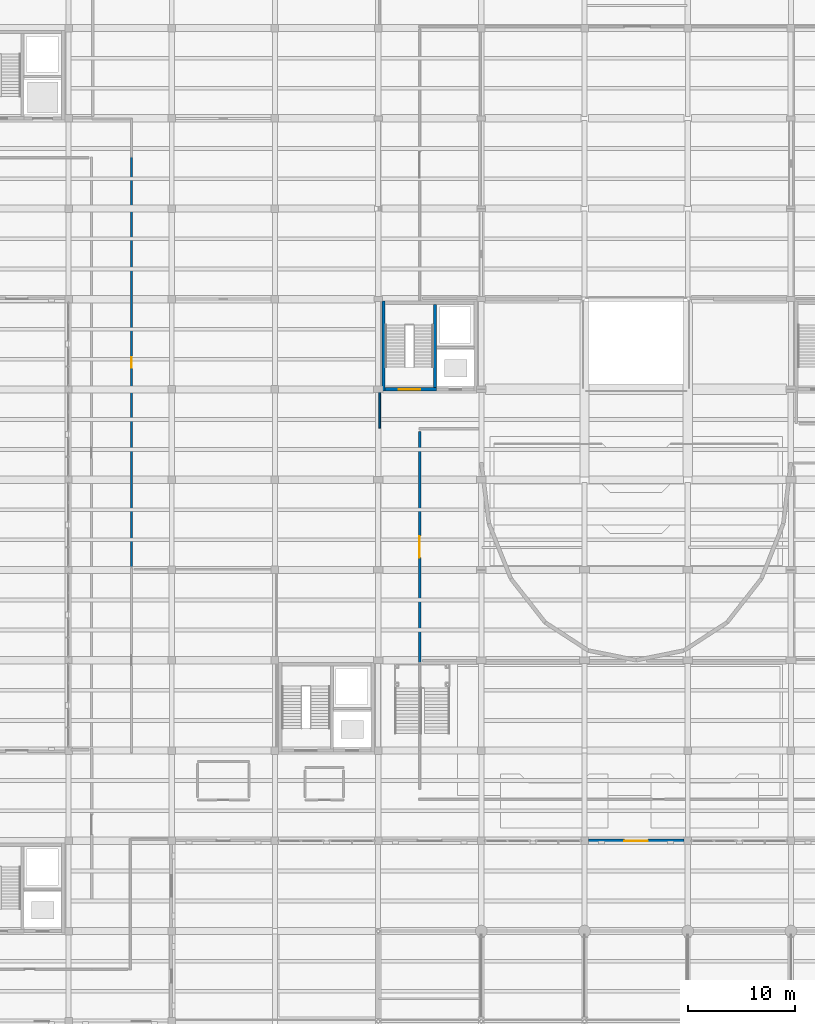
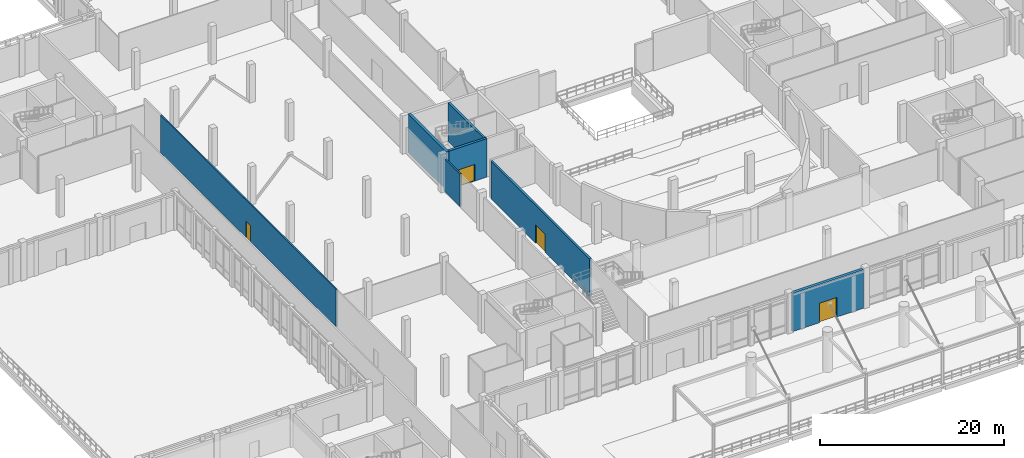
# One storey, part 51 of 71: 7 walls, 4 doors, 4 openings.
"""IFC4 building model written with IfcOpenShell, lengths in metres."""

from ifc_helpers import new_model, si_unit, direction, frame, frame_2d, origin, place, context, subcontext, project, spatial, rectangle, extrude, material, layer, layer_set, type_object, element, fill, save


model = new_model("IFC4")

# Units and contexts
model_context = context("Model", 3, precision=1e-05, world=origin(), true_north=direction((0.0, 1.0)))
body_context = subcontext(model_context, "Body", "Model", "MODEL_VIEW")
ifc_project = project(units=[si_unit("LENGTHUNIT", "METRE"), si_unit("AREAUNIT", "SQUARE_METRE"), si_unit("VOLUMEUNIT", "CUBIC_METRE"), si_unit("PLANEANGLEUNIT", "RADIAN"), si_unit("MASSUNIT", "GRAM", prefix="KILO")], contexts=[model_context])

# Site, building, storey
site_placement = place(None, origin())
site = spatial("IfcSite", under=ifc_project, at=site_placement, CompositionType="ELEMENT")
building_placement = place(site_placement, origin())
building = spatial("IfcBuilding", under=site, at=building_placement, Name="Lornevale Opera House", CompositionType="ELEMENT")
storey_placement = place(building_placement, origin())
storey = spatial("IfcBuildingStorey", under=building, at=storey_placement, Name="L01", CompositionType="ELEMENT", Elevation=0.0)

# Wall, opening, door
ifc_material_1 = material(Name="Acoustic Mineral-Core Gypsum Partition", Category="gypsum")
ifc_layer_1 = layer(ifc_material_1, 0.25)
ifc_layer_set_1 = layer_set([ifc_layer_1], Name="Acoustic Mineral-Core Gypsum Partition")
wall_type_1 = type_object("IfcWallType", Name="Auditorium Box-in-Box Liner 250", PredefinedType="SOLIDWALL", material=ifc_layer_set_1)
wall_1_placement = place(storey_placement, frame((61.4599609375, 33.39990234375, 0.0), z_axis=(0.0, 0.0, 1.0), x_axis=(0.0, 1.0, 0.0)))
wall_1 = element("IfcWall", 1, at=wall_1_placement, inside=storey, type_object=wall_type_1, Name="L01 Partition WL-INT-0665", PredefinedType="SOLIDWALL", context=body_context, shape_type="SweptSolid", body=[
    extrude(rectangle(XDim=21.489990234375, YDim=0.25, at=frame_2d((10.7451171875, 0.0))), origin(), (0.0, 0.0, 1.0), 4.989990234375),
])
opening_1_placement = place(wall_1_placement, frame((9.7451171875, 0.0, 0.0)))
opening_1 = element("IfcOpeningElement", 2, at=opening_1_placement, cuts=wall_1, Name="Opening DR-T14", PredefinedType="OPENING", context=body_context, shape_type="SweptSolid", body=[
    extrude(rectangle(XDim=2.0, YDim=2.39990234375, at=frame_2d((1.0, 1.199951171875))), frame((0.0, 0.135009765625, 0.0), z_axis=(0.0, -1.0, 0.0), x_axis=(1.0, 0.0, 0.0)), (0.0, 0.0, 1.0), 0.27001953125),
])
ifc_material_2 = material(Name="White Oak Acoustic Panelling", Category="wood")
ifc_layer_2 = layer(ifc_material_2, 2.39990234375)
ifc_layer_set_2 = layer_set([ifc_layer_2], Name="White Oak Acoustic Panelling")
door_type_1 = type_object("IfcDoorType", Name="Auditorium Acoustic Sound-Lock Pair 2000x2400", OperationType="NOTDEFINED", PredefinedType="DOOR", material=ifc_layer_set_2)
door_1_placement = place(opening_1_placement, origin())
door_1 = element("IfcDoor", 3, at=door_1_placement, inside=storey, type_object=door_type_1, Name="Auditorium Orchestra Stalls Door", OperationType="DOUBLE_SWING_LEFT", OverallHeight=2.39990234375, OverallWidth=2.0, PredefinedType="DOOR", context=body_context, shape_type="SweptSolid", body=[
    extrude(rectangle(XDim=2.0, YDim=2.39990234375, at=frame_2d((1.0, 1.199951171875))), frame((0.0, 0.02490234375, 0.0), z_axis=(0.0, -1.0, 0.0), x_axis=(1.0, 0.0, 0.0)), (0.0, 0.0, 1.0), 0.050048828125),
])
fill(opening_1, door_1)

ifc_material_3 = material(Name="Concrete 40 MPa (CSA A23.1 C-1)", Category="concrete")
ifc_layer_3 = layer(ifc_material_3, 0.320068359375)
ifc_layer_set_3 = layer_set([ifc_layer_3], Name="Concrete 40 MPa (CSA A23.1 C-1)")
wall_type_2 = type_object("IfcWallType", Name="Core Shear Wall 320", PredefinedType="SHEAR", material=ifc_layer_set_3)
wall_2_placement = place(storey_placement, frame((58.260009765625, 58.800048828125, 0.0), z_axis=(0.0, 0.0, 1.0), x_axis=(1.0, 0.0, 0.0)))
wall_2 = element("IfcWall", 4, at=wall_2_placement, inside=storey, type_object=wall_type_2, Name="Auditorium West Tier Core Core Shear Wall 320 WL-COR-0162", PredefinedType="SHEAR", context=body_context, shape_type="SweptSolid", body=[
    extrude(rectangle(XDim=4.780029296875, YDim=0.320068359375, at=frame_2d((2.39013671875, 0.0))), origin(), (0.0, 0.0, 1.0), 5.10009765625),
])
opening_2_placement = place(wall_2_placement, frame((1.239990234375, 0.0, 0.0)))
opening_2 = element("IfcOpeningElement", 5, at=opening_2_placement, cuts=wall_2, Name="Opening DR-T12", PredefinedType="OPENING", context=body_context, shape_type="SweptSolid", body=[
    extrude(rectangle(XDim=2.0, YDim=2.199951171875, at=frame_2d((1.0, 1.10009765625))), frame((0.0, 0.169921875, 0.0), z_axis=(0.0, -1.0, 0.0), x_axis=(1.0, 0.0, 0.0)), (0.0, 0.0, 1.0), 0.340087890625),
])
ifc_material_4 = material(Name="Painted Hollow Metal Door Steel", Category="steel")
ifc_layer_4 = layer(ifc_material_4, 2.199951171875)
ifc_layer_set_4 = layer_set([ifc_layer_4], Name="Painted Hollow Metal Door Steel")
door_type_2 = type_object("IfcDoorType", Name="Exit Stair Discharge Pair 2000x2200", OperationType="NOTDEFINED", PredefinedType="DOOR", material=ifc_layer_set_4)
door_2_placement = place(opening_2_placement, origin())
door_2 = element("IfcDoor", 6, at=door_2_placement, inside=storey, type_object=door_type_2, Name="C5 Stair Door L01", OperationType="DOUBLE_SWING_LEFT", OverallHeight=2.199951171875, OverallWidth=2.0, PredefinedType="DOOR", context=body_context, shape_type="SweptSolid", body=[
    extrude(rectangle(XDim=2.0, YDim=2.199951171875, at=frame_2d((1.0, 1.10009765625))), frame((0.0, 0.02490234375, 0.0), z_axis=(0.0, -1.0, 0.0), x_axis=(1.0, 0.0, 0.0)), (0.0, 0.0, 1.0), 0.050048828125),
])
fill(opening_2, door_2)

# Wall
wall_3_placement = place(storey_placement, frame((58.10009765625, 67.0, 0.0), z_axis=(0.0, 0.0, 1.0), x_axis=(0.0, -1.0, 0.0)))
element("IfcWall", 7, at=wall_3_placement, inside=storey, type_object=wall_type_2, Name="Auditorium West Tier Core Core Shear Wall 320 WL-COR-0165", PredefinedType="SHEAR", context=body_context, shape_type="SweptSolid", body=[
    extrude(rectangle(XDim=8.360107421875, YDim=0.320068359375, at=frame_2d((4.18017578125, 0.0))), origin(), (0.0, 0.0, 1.0), 5.10009765625),
])

# Wall, opening, door
ifc_layer_5 = layer(ifc_material_1, 0.1650390625)
ifc_layer_set_5 = layer_set([ifc_layer_5], Name="Acoustic Mineral-Core Gypsum Partition")
wall_type_3 = type_object("IfcWallType", Name="Corridor Rated Partition 165", PredefinedType="PARTITIONING", material=ifc_layer_set_5)
wall_4_placement = place(storey_placement, frame((34.659912109375, 42.199951171875, 0.0), z_axis=(0.0, 0.0, 1.0), x_axis=(0.0, 1.0, 0.0)))
wall_4 = element("IfcWall", 8, at=wall_4_placement, inside=storey, type_object=wall_type_3, Name="L01 Partition WL-INT-0693", PredefinedType="PARTITIONING", context=body_context, shape_type="SweptSolid", body=[
    extrude(rectangle(XDim=38.199951171875, YDim=0.1650390625, at=frame_2d((19.10009765625, 0.0))), origin(), (0.0, 0.0, 1.0), 4.989990234375),
])
opening_3_placement = place(wall_4_placement, frame((18.625, 0.0, 0.0)))
opening_3 = element("IfcOpeningElement", 9, at=opening_3_placement, cuts=wall_4, Name="Opening DR-T19", PredefinedType="OPENING", context=body_context, shape_type="SweptSolid", body=[
    extrude(rectangle(XDim=0.949951171875, YDim=2.14990234375, at=frame_2d((0.47509765625, 1.074951171875))), frame((0.0, 0.092529296875, 0.0), z_axis=(0.0, -1.0, 0.0), x_axis=(1.0, 0.0, 0.0)), (0.0, 0.0, 1.0), 0.18505859375),
])
ifc_layer_6 = layer(ifc_material_2, 2.14990234375)
ifc_layer_set_6 = layer_set([ifc_layer_6], Name="White Oak Acoustic Panelling")
door_type_3 = type_object("IfcDoorType", Name="Soloist Dressing Door L 950x2150", OperationType="NOTDEFINED", PredefinedType="DOOR", material=ifc_layer_set_6)
door_3_placement = place(opening_3_placement, origin())
door_3 = element("IfcDoor", 10, at=door_3_placement, inside=storey, type_object=door_type_3, Name="Winter-Garden Exhibition Foyer Door", OperationType="SINGLE_SWING_LEFT", OverallHeight=2.14990234375, OverallWidth=0.949951171875, PredefinedType="DOOR", context=body_context, shape_type="SweptSolid", body=[
    extrude(rectangle(XDim=0.949951171875, YDim=2.14990234375, at=frame_2d((0.47509765625, 1.074951171875))), frame((0.0, 0.02490234375, 0.0), z_axis=(0.0, -1.0, 0.0), x_axis=(1.0, 0.0, 0.0)), (0.0, 0.0, 1.0), 0.050048828125),
])
fill(opening_3, door_3)

# Walls
wall_5_placement = place(storey_placement, frame((57.739990234375, 55.199951171875, 0.0), z_axis=(0.0, 0.0, 1.0), x_axis=(0.0, 1.0, 0.0)))
element("IfcWall", 11, at=wall_5_placement, inside=storey, type_object=wall_type_3, Name="L01 Partition WL-INT-0695", PredefinedType="PARTITIONING", context=body_context, shape_type="SweptSolid", body=[
    extrude(rectangle(XDim=3.60009765625, YDim=0.1650390625, at=frame_2d((1.800048828125, 0.0))), origin(), (0.0, 0.0, 1.0), 4.35009765625),
])
ifc_layer_7 = layer(ifc_material_3, 0.280029296875)
ifc_layer_set_7 = layer_set([ifc_layer_7], Name="Concrete 40 MPa (CSA A23.1 C-1)")
wall_type_4 = type_object("IfcWallType", Name="Elevator Shaft Wall 280", PredefinedType="SHEAR", material=ifc_layer_set_7)
wall_6_placement = place(storey_placement, frame((62.89990234375, 58.9599609375, 0.0), z_axis=(0.0, 0.0, 1.0), x_axis=(0.0, 1.0, 0.0)))
element("IfcWall", 12, at=wall_6_placement, inside=storey, type_object=wall_type_4, Name="Auditorium West Tier Core Elevator Shaft Wall 280 WL-COR-0167", PredefinedType="SHEAR", context=body_context, shape_type="SweptSolid", body=[
    extrude(rectangle(XDim=7.719970703125, YDim=0.280029296875, at=frame_2d((3.85986328125, 0.0))), origin(), (0.0, 0.0, 1.0), 5.10009765625),
])

# Wall, opening, door
ifc_material_5 = material(Name="Credit Valley Sandstone Ashlar Masonry (25 MPa)", Category="masonry")
ifc_layer_8 = layer(ifc_material_5, 0.3798828125)
ifc_layer_set_8 = layer_set([ifc_layer_8], Name="Credit Valley Sandstone Ashlar Masonry (25 MPa)")
wall_type_5 = type_object("IfcWallType", Name="Sandstone Plinth Bearing Wall 380", PredefinedType="SOLIDWALL", material=ifc_layer_set_8)
wall_7_placement = place(storey_placement, frame((86.050048828125, 16.800048828125, 0.0), z_axis=(0.0, 0.0, 1.0), x_axis=(-1.0, 0.0, 0.0)))
wall_7 = element("IfcWall", 13, at=wall_7_placement, inside=storey, type_object=wall_type_5, Name="Sandstone Plinth Bearing Wall 380 WL-EXT-0165", PredefinedType="SOLIDWALL", context=body_context, shape_type="SweptSolid", body=[
    extrude(rectangle(XDim=8.900146484375, YDim=0.3798828125, at=frame_2d((4.4501953125, 0.0))), origin(), (0.0, 0.0, 1.0), 5.10009765625),
])
opening_4_placement = place(wall_7_placement, frame((3.35009765625, 0.0, 0.0)))
opening_4 = element("IfcOpeningElement", 14, at=opening_4_placement, cuts=wall_7, Name="Opening DR-T01", PredefinedType="OPENING", context=body_context, shape_type="SweptSolid", body=[
    extrude(rectangle(XDim=2.199951171875, YDim=2.60009765625, at=frame_2d((1.10009765625, 1.300048828125))), frame((0.0, 0.199951171875, 0.0), z_axis=(0.0, -1.0, 0.0), x_axis=(1.0, 0.0, 0.0)), (0.0, 0.0, 1.0), 0.39990234375),
])
ifc_material_6 = material(Name="Architectural Bronze Solar Louvre Alloy", Category="metal")
ifc_layer_9 = layer(ifc_material_6, 0.050048828125)
ifc_layer_set_9 = layer_set([ifc_layer_9], Name="Architectural Bronze Solar Louvre Alloy")
door_type_4 = type_object("IfcDoorType", Name="Civic Main Entrance Double Door 2200x2600", OperationType="NOTDEFINED", PredefinedType="DOOR", material=ifc_layer_set_9)
door_4_placement = place(opening_4_placement, origin())
door_4 = element("IfcDoor", 15, at=door_4_placement, inside=storey, type_object=door_type_4, Name="Civic Main Entrance Double Door 2200x2600 DR-EXT-020", OperationType="DOUBLE_DOOR_SINGLE_SWING", OverallHeight=2.60009765625, OverallWidth=2.199951171875, PredefinedType="DOOR", context=body_context, shape_type="SweptSolid", body=[
    extrude(rectangle(XDim=2.199951171875, YDim=2.60009765625, at=frame_2d((1.10009765625, 1.300048828125))), frame((0.0, 0.02490234375, 0.0), z_axis=(0.0, -1.0, 0.0), x_axis=(1.0, 0.0, 0.0)), (0.0, 0.0, 1.0), 0.050048828125),
])
fill(opening_4, door_4)

save(model, "model.ifc")
